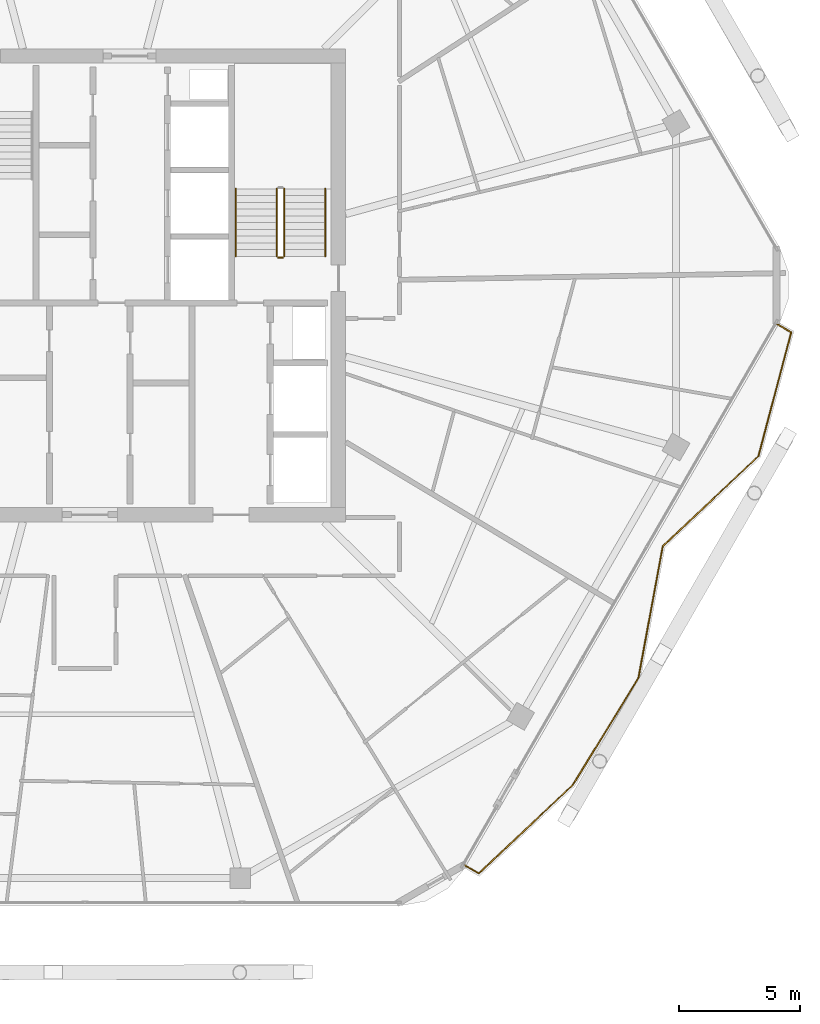
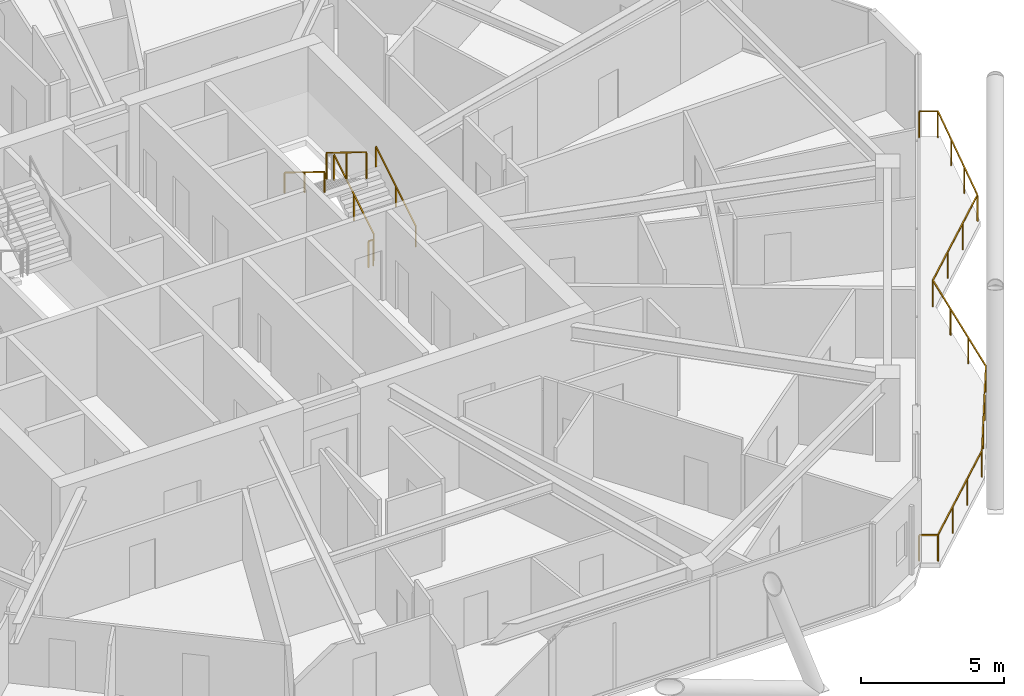
# One storey, part 27 of 29: 6 railings.
"""IFC4 building model written with IfcOpenShell, lengths in metres."""

from ifc_helpers import new_model, si_unit, direction, frame, origin, origin_2d, place, context, subcontext, project, spatial, rectangle, extrude, material, type_object, element, save


model = new_model("IFC4")

# Units and contexts
model_context = context("Model", 3, precision=1e-05, world=origin(), true_north=direction((0.0, 1.0)))
body_context = subcontext(model_context, "Body", "Model", "MODEL_VIEW")
ifc_project = project(units=[si_unit("LENGTHUNIT", "METRE"), si_unit("AREAUNIT", "SQUARE_METRE"), si_unit("VOLUMEUNIT", "CUBIC_METRE"), si_unit("PLANEANGLEUNIT", "RADIAN"), si_unit("MASSUNIT", "GRAM", prefix="KILO")], contexts=[model_context])

# Site, building, storey
site_placement = place(None, origin())
site = spatial("IfcSite", under=ifc_project, at=site_placement, CompositionType="ELEMENT")
building_placement = place(site_placement, origin())
building = spatial("IfcBuilding", under=site, at=building_placement, Name="Zuhravey Tower", CompositionType="ELEMENT")
storey_placement = place(building_placement, frame((0.0, 0.0, 292.0)))
storey = spatial("IfcBuildingStorey", under=building, at=storey_placement, Name="L74", CompositionType="ELEMENT", Elevation=292.0)

# Railings
ifc_material_1 = material(Name="Stainless steel 316 and laminated glass", Category="steel")
railing_type_1 = type_object("IfcRailingType", Name="Balcony & Terrace Guardrail 1150", PredefinedType="BALUSTRADE", material=ifc_material_1)
railing_1_placement = place(storey_placement, frame((64.68310546875, 30.38330078125, 0.0)))
element("IfcRailing", 1, at=railing_1_placement, inside=storey, type_object=railing_type_1, Name="L74 Face 6 Wave Balcony Guardrail GR1", PredefinedType="BALUSTRADE", context=body_context, shape_type="SweptSolid", body=[
    extrude(rectangle(XDim=0.048095703125, YDim=0.048095703125, at=origin_2d()), frame((0.001708984375, -0.0009765625, 1.1259765625), z_axis=(0.866197837791, -0.499701216534, 0.0), x_axis=(0.499701216534, 0.866197837791, 0.0)), (0.0, 0.0, 1.0), 0.659423828125),
    extrude(rectangle(XDim=0.048095703125, YDim=0.048095703125, at=origin_2d()), frame((0.57421875, -0.33349609375, 1.1259765625), z_axis=(-0.256082481049, -0.966654934762, 0.0), x_axis=(0.966654934762, -0.256082481049, 0.0)), (0.0, 0.0, 1.0), 5.295654296875),
    extrude(rectangle(XDim=0.048095703125, YDim=0.048095703125, at=origin_2d()), frame((-0.783935546875, -5.4560546875, 1.1259765625), z_axis=(-0.727456511907, -0.68615378982, 0.0), x_axis=(0.68615378982, -0.727456511907, 0.0)), (0.0, 0.0, 1.0), 5.446044921875),
    extrude(rectangle(XDim=0.048095703125, YDim=0.048095703125, at=origin_2d()), frame((-4.747314453125, -9.196044921875, 1.1259765625), z_axis=(-0.181796210092, -0.983336228355, 0.0), x_axis=(0.983336228355, -0.181796210092, 0.0)), (0.0, 0.0, 1.0), 5.544921875),
    extrude(rectangle(XDim=0.048095703125, YDim=0.048095703125, at=origin_2d()), frame((-5.7568359375, -14.65234375, 1.1259765625), z_axis=(-0.522778385808, -0.852468626597, 0.0), x_axis=(0.852468626597, -0.522778385808, 0.0)), (0.0, 0.0, 1.0), 5.1826171875),
    extrude(rectangle(XDim=0.048095703125, YDim=0.048095703125, at=origin_2d()), frame((-8.46875, -19.073486328125, 1.1259765625), z_axis=(-0.727513372363, -0.68609350167, 0.0), x_axis=(0.68609350167, -0.727513372363, 0.0)), (0.0, 0.0, 1.0), 5.35400390625),
    extrude(rectangle(XDim=0.048095703125, YDim=0.048095703125, at=origin_2d()), frame((-12.366943359375, -22.7470703125, 1.1259765625), z_axis=(-0.865953361906, 0.50012475944, 0.0), x_axis=(-0.50012475944, -0.865953361906, 0.0)), (0.0, 0.0, 1.0), 0.661376953125),
    extrude(rectangle(XDim=0.0419921875, YDim=0.0419921875, at=origin_2d()), origin(), (0.0, 0.0, 1.0), 1.099853515625),
    extrude(rectangle(XDim=0.0419921875, YDim=0.0419921875, at=origin_2d()), frame((0.57470703125, -0.33154296875, 0.0)), (0.0, 0.0, 1.0), 1.099853515625),
    extrude(rectangle(XDim=0.0419921875, YDim=0.0419921875, at=origin_2d()), frame((0.122314453125, -2.039306640625, 0.0)), (0.0, 0.0, 1.0), 1.099853515625),
    extrude(rectangle(XDim=0.0419921875, YDim=0.0419921875, at=origin_2d()), frame((-0.330078125, -3.746826171875, 0.0)), (0.0, 0.0, 1.0), 1.099853515625),
    extrude(rectangle(XDim=0.0419921875, YDim=0.0419921875, at=origin_2d()), frame((-0.782470703125, -5.45458984375, 0.0)), (0.0, 0.0, 1.0), 1.099853515625),
    extrude(rectangle(XDim=0.0419921875, YDim=0.0419921875, at=origin_2d()), frame((-2.10400390625, -6.701171875, 0.0)), (0.0, 0.0, 1.0), 1.099853515625),
    extrude(rectangle(XDim=0.0419921875, YDim=0.0419921875, at=origin_2d()), frame((-3.425537109375, -7.947509765625, 0.0)), (0.0, 0.0, 1.0), 1.099853515625),
    extrude(rectangle(XDim=0.0419921875, YDim=0.0419921875, at=origin_2d()), frame((-4.7470703125, -9.194091796875, 0.0)), (0.0, 0.0, 1.0), 1.099853515625),
    extrude(rectangle(XDim=0.0419921875, YDim=0.0419921875, at=origin_2d()), frame((-5.083251953125, -11.012939453125, 0.0)), (0.0, 0.0, 1.0), 1.099853515625),
    extrude(rectangle(XDim=0.0419921875, YDim=0.0419921875, at=origin_2d()), frame((-5.419677734375, -12.831787109375, 0.0)), (0.0, 0.0, 1.0), 1.099853515625),
    extrude(rectangle(XDim=0.0419921875, YDim=0.0419921875, at=origin_2d()), frame((-5.755859375, -14.650634765625, 0.0)), (0.0, 0.0, 1.0), 1.099853515625),
    extrude(rectangle(XDim=0.0419921875, YDim=0.0419921875, at=origin_2d()), frame((-6.65966796875, -16.12451171875, 0.0)), (0.0, 0.0, 1.0), 1.099853515625),
    extrude(rectangle(XDim=0.0419921875, YDim=0.0419921875, at=origin_2d()), frame((-7.5634765625, -17.59814453125, 0.0)), (0.0, 0.0, 1.0), 1.099853515625),
    extrude(rectangle(XDim=0.0419921875, YDim=0.0419921875, at=origin_2d()), frame((-8.46728515625, -19.072021484375, 0.0)), (0.0, 0.0, 1.0), 1.099853515625),
    extrude(rectangle(XDim=0.0419921875, YDim=0.0419921875, at=origin_2d()), frame((-9.7666015625, -20.29736328125, 0.0)), (0.0, 0.0, 1.0), 1.099853515625),
    extrude(rectangle(XDim=0.0419921875, YDim=0.0419921875, at=origin_2d()), frame((-11.06591796875, -21.522705078125, 0.0)), (0.0, 0.0, 1.0), 1.099853515625),
    extrude(rectangle(XDim=0.0419921875, YDim=0.0419921875, at=origin_2d()), frame((-12.365234375, -22.748046875, 0.0)), (0.0, 0.0, 1.0), 1.099853515625),
    extrude(rectangle(XDim=0.0419921875, YDim=0.0419921875, at=origin_2d()), frame((-12.94140625, -22.415283203125, 0.0)), (0.0, 0.0, 1.0), 1.099853515625),
])
ifc_material_2 = material(Name="Brushed stainless steel", Category="steel")
railing_type_2 = type_object("IfcRailingType", Name="Stair Wall Handrail 900", PredefinedType="HANDRAIL", material=ifc_material_2)
railing_2_placement = place(storey_placement, frame((45.949951171875, 33.199951171875, 0.172607421875)))
element("IfcRailing", 2, at=railing_2_placement, inside=storey, type_object=railing_type_2, Name="L74 ST2 stair handrail 1", PredefinedType="HANDRAIL", context=body_context, shape_type="SweptSolid", body=[
    extrude(rectangle(XDim=0.048095703125, YDim=0.048095703125, at=origin_2d()), frame((0.0, 0.001708984375, 0.876953125), z_axis=(0.0, 0.851089632645, 0.525020415988), x_axis=(-1.0, 0.0, 0.0)), (0.0, 0.0, 1.0), 3.285888671875),
    extrude(rectangle(XDim=0.0419921875, YDim=0.0419921875, at=origin_2d()), origin(), (0.0, 0.0, 1.0), 0.849853515625),
    extrude(rectangle(XDim=0.0419921875, YDim=0.0419921875, at=origin_2d()), frame((0.0, 1.39990234375, 0.86376953125)), (0.0, 0.0, 1.0), 0.849853515625),
    extrude(rectangle(XDim=0.0419921875, YDim=0.0419921875, at=origin_2d()), frame((0.0, 2.800048828125, 1.727294921875)), (0.0, 0.0, 1.0), 0.849853515625),
])
railing_3_placement = place(storey_placement, frame((42.25, 36.0, 2.07275390625)))
element("IfcRailing", 3, at=railing_3_placement, inside=storey, type_object=railing_type_2, Name="L74 ST2 stair handrail 2", PredefinedType="HANDRAIL", context=body_context, shape_type="SweptSolid", body=[
    extrude(rectangle(XDim=0.048095703125, YDim=0.048095703125, at=origin_2d()), frame((0.0, -0.001708984375, 0.876953125), z_axis=(0.0, -0.851089632645, 0.525020415988), x_axis=(1.0, 0.0, 0.0)), (0.0, 0.0, 1.0), 3.285888671875),
    extrude(rectangle(XDim=0.0419921875, YDim=0.0419921875, at=origin_2d()), origin(), (0.0, 0.0, 1.0), 0.849853515625),
    extrude(rectangle(XDim=0.0419921875, YDim=0.0419921875, at=origin_2d()), frame((0.0, -1.39990234375, 0.86376953125)), (0.0, 0.0, 1.0), 0.849853515625),
    extrude(rectangle(XDim=0.0419921875, YDim=0.0419921875, at=origin_2d()), frame((0.0, -2.800048828125, 1.727294921875)), (0.0, 0.0, 1.0), 0.849853515625),
])
ifc_material_3 = material(Name="Painted tubular steel", Category="steel")
railing_type_3 = type_object("IfcRailingType", Name="Stair Well Guardrail 1150", PredefinedType="GUARDRAIL", material=ifc_material_3)
railing_4_placement = place(storey_placement, frame((44.25, 33.199951171875, 0.172607421875)))
element("IfcRailing", 4, at=railing_4_placement, inside=storey, type_object=railing_type_3, Name="L74 ST2 stair guard 1", PredefinedType="GUARDRAIL", context=body_context, shape_type="SweptSolid", body=[
    extrude(rectangle(XDim=0.048095703125, YDim=0.048095703125, at=origin_2d()), frame((0.0, 0.001708984375, 1.126953125), z_axis=(0.0, 0.851089632645, 0.525020415988), x_axis=(-1.0, 0.0, 0.0)), (0.0, 0.0, 1.0), 3.285888671875),
    extrude(rectangle(XDim=0.0419921875, YDim=0.0419921875, at=origin_2d()), origin(), (0.0, 0.0, 1.0), 1.099853515625),
    extrude(rectangle(XDim=0.0419921875, YDim=0.0419921875, at=origin_2d()), frame((0.0, 1.39990234375, 0.86376953125)), (0.0, 0.0, 1.0), 1.099853515625),
    extrude(rectangle(XDim=0.0419921875, YDim=0.0419921875, at=origin_2d()), frame((0.0, 2.800048828125, 1.727294921875)), (0.0, 0.0, 1.0), 1.099853515625),
])
railing_5_placement = place(storey_placement, frame((43.949951171875, 36.0, 2.07275390625)))
element("IfcRailing", 5, at=railing_5_placement, inside=storey, type_object=railing_type_3, Name="L74 ST2 stair guard 3", PredefinedType="GUARDRAIL", context=body_context, shape_type="SweptSolid", body=[
    extrude(rectangle(XDim=0.048095703125, YDim=0.048095703125, at=origin_2d()), frame((0.0, -0.001708984375, 1.126953125), z_axis=(0.0, -0.851089632645, 0.525020415988), x_axis=(1.0, 0.0, 0.0)), (0.0, 0.0, 1.0), 3.285888671875),
    extrude(rectangle(XDim=0.0419921875, YDim=0.0419921875, at=origin_2d()), origin(), (0.0, 0.0, 1.0), 1.099853515625),
    extrude(rectangle(XDim=0.0419921875, YDim=0.0419921875, at=origin_2d()), frame((0.0, -1.39990234375, 0.86376953125)), (0.0, 0.0, 1.0), 1.099853515625),
    extrude(rectangle(XDim=0.0419921875, YDim=0.0419921875, at=origin_2d()), frame((0.0, -2.800048828125, 1.727294921875)), (0.0, 0.0, 1.0), 1.099853515625),
])
railing_6_placement = place(storey_placement, frame((44.199951171875, 33.14990234375, 0.0)))
element("IfcRailing", 6, at=railing_6_placement, inside=storey, type_object=railing_type_3, Name="L74 ST2 stair guard 4", PredefinedType="GUARDRAIL", context=body_context, shape_type="SweptSolid", body=[
    extrude(rectangle(XDim=0.048095703125, YDim=0.048095703125, at=origin_2d()), frame((-0.001953125, 0.0, 1.1259765625), z_axis=(-1.0, 0.0, 0.0), x_axis=(0.0, -1.0, 0.0)), (0.0, 0.0, 1.0), 0.196044921875),
    extrude(rectangle(XDim=0.0419921875, YDim=0.0419921875, at=origin_2d()), origin(), (0.0, 0.0, 1.0), 1.099853515625),
    extrude(rectangle(XDim=0.0419921875, YDim=0.0419921875, at=origin_2d()), frame((-0.199951171875, 0.0, 0.0)), (0.0, 0.0, 1.0), 1.099853515625),
])

save(model, "model.ifc")
